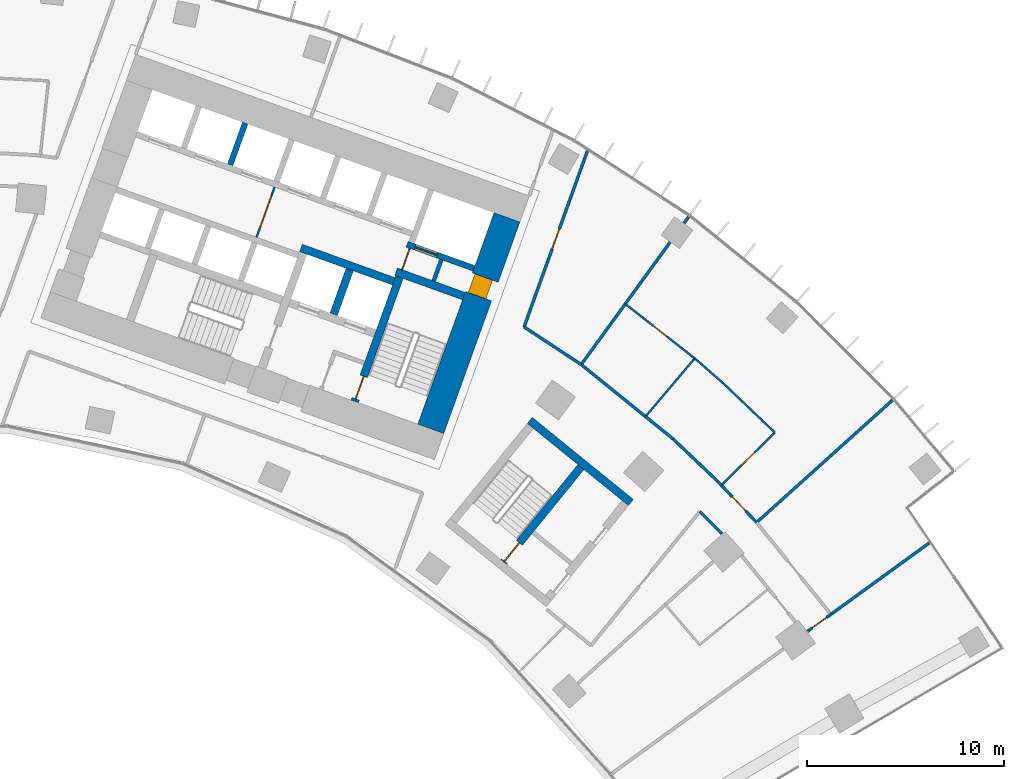
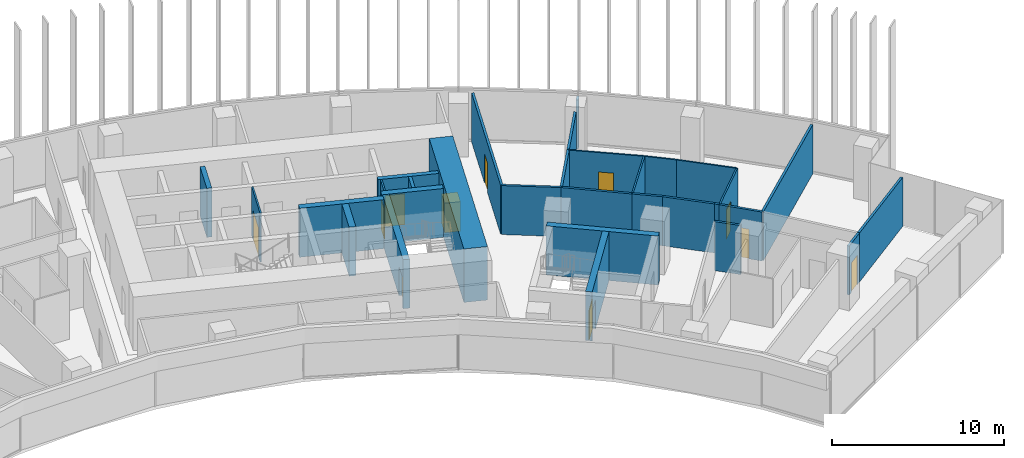
# One storey, part 20 of 23: 31 walls, 11 doors, 11 openings.
"""IFC4 building model written with IfcOpenShell, lengths in metres."""

from ifc_helpers import new_model, si_unit, direction, frame, frame_2d, origin, place, context, subcontext, project, spatial, rectangle, extrude, material, layer, layer_set, type_object, element, fill, save


model = new_model("IFC4")

# Units and contexts
model_context = context("Model", 3, precision=1e-05, world=origin(), true_north=direction((0.0, 1.0)))
body_context = subcontext(model_context, "Body", "Model", "MODEL_VIEW")
ifc_project = project(units=[si_unit("LENGTHUNIT", "METRE"), si_unit("AREAUNIT", "SQUARE_METRE"), si_unit("VOLUMEUNIT", "CUBIC_METRE"), si_unit("PLANEANGLEUNIT", "RADIAN"), si_unit("MASSUNIT", "GRAM", prefix="KILO")], contexts=[model_context])

# Site, building, storey
site_placement = place(None, origin())
site = spatial("IfcSite", under=ifc_project, at=site_placement, CompositionType="ELEMENT")
building_placement = place(site_placement, origin())
building = spatial("IfcBuilding", under=site, at=building_placement, Name="Stone Belt Terrace Tower", CompositionType="ELEMENT")
storey_placement = place(building_placement, frame((0.0, 0.0, 98.39990234375)))
storey = spatial("IfcBuildingStorey", under=building, at=storey_placement, Name="L23", CompositionType="ELEMENT", Elevation=98.39990234375)

# Wall, opening, door
ifc_material_1 = material(Name="Plasterboard partition")
ifc_layer_1 = layer(ifc_material_1, 0.10009765625)
ifc_layer_set_1 = layer_set([ifc_layer_1], Name="Core partition 100")
wall_type_1 = type_object("IfcWallType", Name="Core partition 100", PredefinedType="PARTITIONING", material=ifc_layer_set_1)
wall_1_placement = place(storey_placement, frame((24.555908203125, 51.10400390625, 0.0), z_axis=(0.0, 0.0, 1.0), x_axis=(0.338621735342, 0.94092258999, 0.0)))
wall_1 = element("IfcWall", 1, at=wall_1_placement, inside=storey, type_object=wall_type_1, Name="Core B wall", PredefinedType="PARTITIONING", context=body_context, shape_type="SweptSolid", body=[
    extrude(rectangle(XDim=1.14990234375, YDim=0.10009765625, at=frame_2d((0.574951171875, 0.0))), origin(), (0.0, 0.0, 1.0), 3.47998046875),
])
opening_1_placement = place(wall_1_placement, frame((0.050048828125, 0.0, 0.0)))
opening_1 = element("IfcOpeningElement", 2, at=opening_1_placement, cuts=wall_1, Name="Opening L23-C12", PredefinedType="OPENING", context=body_context, shape_type="SweptSolid", body=[
    extrude(rectangle(XDim=1.0, YDim=2.10009765625, at=frame_2d((0.5, 1.050048828125))), frame((0.0, 0.06005859375, 0.0), z_axis=(0.0, -1.0, 0.0), x_axis=(1.0, 0.0, 0.0)), (0.0, 0.0, 1.0), 0.1201171875),
])
ifc_material_2 = material(Name="Timber door leaf", Category="wood")
door_type_1 = type_object("IfcDoorType", Name="Core room door 1000", OperationType="SINGLE_SWING_LEFT", PredefinedType="DOOR", material=ifc_material_2)
door_1_placement = place(opening_1_placement, origin())
door_1 = element("IfcDoor", 3, at=door_1_placement, inside=storey, type_object=door_type_1, Name="Service lift lobby door core B", OperationType="SINGLE_SWING_LEFT", OverallHeight=2.10009765625, OverallWidth=1.0, PredefinedType="DOOR", context=body_context, shape_type="SweptSolid", body=[
    extrude(rectangle(XDim=1.0, YDim=2.10009765625, at=frame_2d((0.5, 1.050048828125))), frame((0.0, 0.02490234375, 0.0), z_axis=(0.0, -1.0, 0.0), x_axis=(1.0, 0.0, 0.0)), (0.0, 0.0, 1.0), 0.050048828125),
])
fill(opening_1, door_1)

wall_2_placement = place(storey_placement, frame((17.17724609375, 52.749755859375, 0.0), z_axis=(0.0, 0.0, 1.0), x_axis=(0.338546555931, 0.940949642365, 0.0)))
wall_2 = element("IfcWall", 4, at=wall_2_placement, inside=storey, type_object=wall_type_1, Name="Core B wall", PredefinedType="PARTITIONING", context=body_context, shape_type="SweptSolid", body=[
    extrude(rectangle(XDim=2.699951171875, YDim=0.10009765625, at=frame_2d((1.35009765625, 0.0))), origin(), (0.0, 0.0, 1.0), 3.47998046875),
])
opening_2_placement = place(wall_2_placement, frame((0.449951171875, 0.0, 0.0)))
opening_2 = element("IfcOpeningElement", 5, at=opening_2_placement, cuts=wall_2, Name="Opening L23-C13", PredefinedType="OPENING", context=body_context, shape_type="SweptSolid", body=[
    extrude(rectangle(XDim=1.800048828125, YDim=2.10009765625, at=frame_2d((0.89990234375, 1.050048828125))), frame((0.0, 0.06005859375, 0.0), z_axis=(0.0, -1.0, 0.0), x_axis=(1.0, 0.0, 0.0)), (0.0, 0.0, 1.0), 0.1201171875),
])
ifc_material_3 = material(Name="Glazed aluminium door leaf", Category="aluminium")
door_type_2 = type_object("IfcDoorType", Name="Lift lobby entrance door 1800", OperationType="DOUBLE_DOOR_SINGLE_SWING", PredefinedType="DOOR", material=ifc_material_3)
door_2_placement = place(opening_2_placement, origin())
door_2 = element("IfcDoor", 6, at=door_2_placement, inside=storey, type_object=door_type_2, Name="Lift lobby double door core B", OperationType="DOUBLE_DOOR_SINGLE_SWING", OverallHeight=2.10009765625, OverallWidth=1.800048828125, PredefinedType="DOOR", context=body_context, shape_type="SweptSolid", body=[
    extrude(rectangle(XDim=1.800048828125, YDim=2.10009765625, at=frame_2d((0.89990234375, 1.050048828125))), frame((0.0, 0.02490234375, 0.0), z_axis=(0.0, -1.0, 0.0), x_axis=(1.0, 0.0, 0.0)), (0.0, 0.0, 1.0), 0.050048828125),
])
fill(opening_2, door_2)

ifc_material_4 = material(Name="Concrete B80", Category="concrete")
ifc_layer_2 = layer(ifc_material_4, 1.39990234375)
ifc_layer_set_2 = layer_set([ifc_layer_2], Name="Core wall 1400 B80")
wall_type_2 = type_object("IfcWallType", Name="Core wall 1400 B80", PredefinedType="SHEAR", material=ifc_layer_set_2)
wall_3_placement = place(storey_placement, frame((26.00927734375, 43.03515625, 0.0), z_axis=(0.0, 0.0, 1.0), x_axis=(0.338625431531, 0.940921259788, 0.0)))
wall_3 = element("IfcWall", 7, at=wall_3_placement, inside=storey, type_object=wall_type_2, Name="Core B wall end_b L23", PredefinedType="SHEAR", context=body_context, shape_type="SweptSolid", body=[
    extrude(rectangle(XDim=11.400146484375, YDim=1.39990234375, at=frame_2d((5.7001953125, 0.0))), origin(), (0.0, 0.0, 1.0), 3.800048828125),
])
opening_3_placement = place(wall_3_placement, frame((7.14990234375, 0.0, 0.0)))
opening_3 = element("IfcOpeningElement", 8, at=opening_3_placement, cuts=wall_3, Name="Opening L23-C11", PredefinedType="OPENING", context=body_context, shape_type="SweptSolid", body=[
    extrude(rectangle(XDim=1.0, YDim=2.10009765625, at=frame_2d((0.5, 1.050048828125))), frame((0.0, 0.7099609375, 0.0), z_axis=(0.0, -1.0, 0.0), x_axis=(1.0, 0.0, 0.0)), (0.0, 0.0, 1.0), 1.419921875),
])
door_3_placement = place(opening_3_placement, origin())
door_3 = element("IfcDoor", 9, at=door_3_placement, inside=storey, type_object=door_type_1, Name="Door to Telecommunications riser room core B", OperationType="SINGLE_SWING_RIGHT", OverallHeight=2.10009765625, OverallWidth=1.0, PredefinedType="DOOR", context=body_context, shape_type="SweptSolid", body=[
    extrude(rectangle(XDim=1.0, YDim=2.10009765625, at=frame_2d((0.5, 1.050048828125))), frame((0.0, 0.55517578125, 0.0), z_axis=(0.0, -1.0, 0.0), x_axis=(1.0, 0.0, 0.0)), (0.0, 0.0, 1.0), 0.949951171875),
])
fill(opening_3, door_3)

# Walls
ifc_layer_3 = layer(ifc_material_4, 0.39990234375)
ifc_layer_set_3 = layer_set([ifc_layer_3], Name="Fire-fighting lift shaft wall 400")
wall_type_3 = type_object("IfcWallType", Name="Fire-fighting lift shaft wall 400", PredefinedType="SHEAR", material=ifc_layer_set_3)
wall_4_placement = place(storey_placement, frame((24.130615234375, 50.512939453125, 0.0), z_axis=(0.0, 0.0, 1.0), x_axis=(-0.94091168377, 0.338652038744, 0.0)))
element("IfcWall", 10, at=wall_4_placement, inside=storey, type_object=wall_type_3, Name="Core B wall", PredefinedType="SHEAR", context=body_context, shape_type="SweptSolid", body=[
    extrude(rectangle(XDim=5.000244140625, YDim=0.39990234375, at=frame_2d((2.5, 0.0))), origin(), (0.0, 0.0, 1.0), 3.47998046875),
])
wall_5_placement = place(storey_placement, frame((21.0859375, 48.845458984375, 0.0), z_axis=(0.0, 0.0, 1.0), x_axis=(0.338629416206, 0.940919825745, 0.0)))
element("IfcWall", 11, at=wall_5_placement, inside=storey, type_object=wall_type_3, Name="Core B wall", PredefinedType="SHEAR", context=body_context, shape_type="SweptSolid", body=[
    extrude(rectangle(XDim=2.400146484375, YDim=0.39990234375, at=frame_2d((1.2001953125, 0.0))), origin(), (0.0, 0.0, 1.0), 3.47998046875),
])

# Wall, opening, door
ifc_layer_4 = layer(ifc_material_4, 0.300048828125)
ifc_layer_set_4 = layer_set([ifc_layer_4], Name="Lift shaft wall 300")
wall_type_4 = type_object("IfcWallType", Name="Lift shaft wall 300", PredefinedType="SHEAR", material=ifc_layer_set_4)
wall_6_placement = place(storey_placement, frame((28.195068359375, 51.17578125, 0.0), z_axis=(0.0, 0.0, 1.0), x_axis=(-0.940901243567, 0.338681044427, 0.0)))
wall_6 = element("IfcWall", 12, at=wall_6_placement, inside=storey, type_object=wall_type_4, Name="Core B wall", PredefinedType="SHEAR", context=body_context, shape_type="SweptSolid", body=[
    extrude(rectangle(XDim=3.599853515625, YDim=0.300048828125, at=frame_2d((1.7998046875, 0.0))), origin(), (0.0, 0.0, 1.0), 3.47998046875),
])
opening_4_placement = place(wall_6_placement, frame((1.969970703125, 0.0, 0.0)))
opening_4 = element("IfcOpeningElement", 13, at=opening_4_placement, cuts=wall_6, Name="Opening L23-LD18", PredefinedType="OPENING", context=body_context, shape_type="SweptSolid", body=[
    extrude(rectangle(XDim=1.199951171875, YDim=2.199951171875, at=frame_2d((0.60009765625, 1.10009765625))), frame((0.0, 0.159912109375, 0.0), z_axis=(0.0, -1.0, 0.0), x_axis=(1.0, 0.0, 0.0)), (0.0, 0.0, 1.0), 0.320068359375),
])
ifc_material_5 = material(Name="Stainless steel door leaf", Category="steel")
door_type_3 = type_object("IfcDoorType", Name="Landing door 1200", OperationType="SLIDING_TO_LEFT", PredefinedType="DOOR", material=ifc_material_5)
door_4_placement = place(opening_4_placement, origin())
door_4 = element("IfcDoor", 14, at=door_4_placement, inside=storey, type_object=door_type_3, Name="Landing door SV1 core B", OperationType="SLIDING_TO_LEFT", OverallHeight=2.199951171875, OverallWidth=1.199951171875, PredefinedType="DOOR", context=body_context, shape_type="SweptSolid", body=[
    extrude(rectangle(XDim=1.199951171875, YDim=2.199951171875, at=frame_2d((0.60009765625, 1.10009765625))), frame((0.0, 0.02490234375, 0.0), z_axis=(0.0, -1.0, 0.0), x_axis=(1.0, 0.0, 0.0)), (0.0, 0.0, 1.0), 0.050048828125),
])
fill(opening_4, door_4)

# Wall
wall_7_placement = place(storey_placement, frame((15.8408203125, 56.419189453125, 0.0), z_axis=(0.0, 0.0, 1.0), x_axis=(0.338569601369, 0.940941350472, 0.0)))
element("IfcWall", 15, at=wall_7_placement, inside=storey, type_object=wall_type_4, Name="Core B wall", PredefinedType="SHEAR", context=body_context, shape_type="SweptSolid", body=[
    extrude(rectangle(XDim=2.249755859375, YDim=0.300048828125, at=frame_2d((1.125, 0.0))), origin(), (0.0, 0.0, 1.0), 3.47998046875),
])

# Wall, opening, door
ifc_material_6 = material(Name="Gypsum board partition")
ifc_layer_5 = layer(ifc_material_6, 0.10009765625)
ifc_layer_set_5 = layer_set([ifc_layer_5], Name="PARTITION 100")
wall_type_5 = type_object("IfcWallType", Name="PARTITION 100", PredefinedType="PARTITIONING", material=ifc_layer_set_5)
wall_8_placement = place(storey_placement, frame((39.387939453125, 46.611083984375, 0.0), z_axis=(0.0, 0.0, 1.0), x_axis=(-0.786962053446, 0.617001399056, 0.0)))
wall_8 = element("IfcWall", 16, at=wall_8_placement, inside=storey, type_object=wall_type_5, Name="L23/wall/i073", PredefinedType="PARTITIONING", context=body_context, shape_type="SweptSolid", body=[
    extrude(rectangle(XDim=4.4716796875, YDim=0.10009765625, at=frame_2d((2.23583984375, 0.0))), origin(), (0.0, 0.0, 1.0), 3.47998046875),
])
opening_5_placement = place(wall_8_placement, frame((1.785888671875, 0.0, 0.0)))
opening_5 = element("IfcOpeningElement", 17, at=opening_5_placement, cuts=wall_8, Name="Opening D-B2-23", PredefinedType="OPENING", context=body_context, shape_type="SweptSolid", body=[
    extrude(rectangle(XDim=0.89990234375, YDim=2.10009765625, at=frame_2d((0.449951171875, 1.050048828125))), frame((0.0, 0.06005859375, 0.0), z_axis=(0.0, -1.0, 0.0), x_axis=(1.0, 0.0, 0.0)), (0.0, 0.0, 1.0), 0.1201171875),
])
door_type_4 = type_object("IfcDoorType", Name="OFFICE DOOR 900 X 2100", OperationType="NOTDEFINED", PredefinedType="DOOR", material=ifc_material_2)
door_5_placement = place(opening_5_placement, origin())
door_5 = element("IfcDoor", 18, at=door_5_placement, inside=storey, type_object=door_type_4, Name="L23/door/i23", OperationType="SINGLE_SWING_RIGHT", OverallHeight=2.10009765625, OverallWidth=0.89990234375, PredefinedType="DOOR", context=body_context, shape_type="SweptSolid", body=[
    extrude(rectangle(XDim=0.89990234375, YDim=2.10009765625, at=frame_2d((0.449951171875, 1.050048828125))), frame((0.0, 0.02490234375, 0.0), z_axis=(0.0, -1.0, 0.0), x_axis=(1.0, 0.0, 0.0)), (0.0, 0.0, 1.0), 0.050048828125),
])
fill(opening_5, door_5)

wall_9_placement = place(storey_placement, frame((40.739013671875, 40.177978515625, 0.0), z_axis=(0.0, 0.0, 1.0), x_axis=(0.7119326246, 0.702247775383, 0.0)))
wall_9 = element("IfcWall", 19, at=wall_9_placement, inside=storey, type_object=wall_type_5, Name="L23/wall/i074", PredefinedType="PARTITIONING", context=body_context, shape_type="SweptSolid", body=[
    extrude(rectangle(XDim=3.806396484375, YDim=0.10009765625, at=frame_2d((1.9033203125, 0.0))), origin(), (0.0, 0.0, 1.0), 3.47998046875),
])
opening_6_placement = place(wall_9_placement, frame((1.453125, 0.0, 0.0)))
opening_6 = element("IfcOpeningElement", 20, at=opening_6_placement, cuts=wall_9, Name="Opening D-B2-24", PredefinedType="OPENING", context=body_context, shape_type="SweptSolid", body=[
    extrude(rectangle(XDim=0.89990234375, YDim=2.10009765625, at=frame_2d((0.449951171875, 1.050048828125))), frame((0.0, 0.06005859375, 0.0), z_axis=(0.0, -1.0, 0.0), x_axis=(1.0, 0.0, 0.0)), (0.0, 0.0, 1.0), 0.1201171875),
])
door_6_placement = place(opening_6_placement, origin())
door_6 = element("IfcDoor", 21, at=door_6_placement, inside=storey, type_object=door_type_4, Name="L23/door/i24", OperationType="SINGLE_SWING_RIGHT", OverallHeight=2.10009765625, OverallWidth=0.89990234375, PredefinedType="DOOR", context=body_context, shape_type="SweptSolid", body=[
    extrude(rectangle(XDim=0.89990234375, YDim=2.10009765625, at=frame_2d((0.449951171875, 1.050048828125))), frame((0.0, 0.02490234375, 0.0), z_axis=(0.0, -1.0, 0.0), x_axis=(1.0, 0.0, 0.0)), (0.0, 0.0, 1.0), 0.050048828125),
])
fill(opening_6, door_6)

# Walls
wall_10_placement = place(storey_placement, frame((43.448974609375, 42.85107421875, 0.0), z_axis=(0.0, 0.0, 1.0), x_axis=(-0.723084314641, 0.690759780184, 0.0)))
element("IfcWall", 22, at=wall_10_placement, inside=storey, type_object=wall_type_5, Name="L23/wall/i075", PredefinedType="PARTITIONING", context=body_context, shape_type="SweptSolid", body=[
    extrude(rectangle(XDim=3.61767578125, YDim=0.10009765625, at=frame_2d((1.808837890625, 0.0))), origin(), (0.0, 0.0, 1.0), 3.47998046875),
])
wall_11_placement = place(storey_placement, frame((40.8330078125, 45.35009765625, 0.0), z_axis=(0.0, 0.0, 1.0), x_axis=(-0.753467080119, 0.657485634198, 0.0)))
element("IfcWall", 23, at=wall_11_placement, inside=storey, type_object=wall_type_5, Name="L23/wall/i076", PredefinedType="PARTITIONING", context=body_context, shape_type="SweptSolid", body=[
    extrude(rectangle(XDim=1.91796875, YDim=0.10009765625, at=frame_2d((0.958984375, 0.0))), origin(), (0.0, 0.0, 1.0), 3.47998046875),
])
wall_12_placement = place(storey_placement, frame((39.387939453125, 46.611083984375, 0.0), z_axis=(0.0, 0.0, 1.0), x_axis=(-0.645622277599, -0.763656909003, 0.0)))
element("IfcWall", 24, at=wall_12_placement, inside=storey, type_object=wall_type_5, Name="L23/wall/i078", PredefinedType="PARTITIONING", context=body_context, shape_type="SweptSolid", body=[
    extrude(rectangle(XDim=3.86572265625, YDim=0.10009765625, at=frame_2d((1.932861328125, 0.0))), origin(), (0.0, 0.0, 1.0), 3.47998046875),
])

# Wall, opening, door
ifc_layer_6 = layer(ifc_material_6, 0.14990234375)
ifc_layer_set_6 = layer_set([ifc_layer_6], Name="PARTITION 150 EI 60")
wall_type_6 = type_object("IfcWallType", Name="PARTITION 150 EI 60", PredefinedType="PARTITIONING", material=ifc_layer_set_6)
wall_13_placement = place(storey_placement, frame((33.951904296875, 57.132080078125, 0.0), z_axis=(0.0, 0.0, 1.0), x_axis=(-0.338553766065, -0.940947048182, 0.0)))
wall_13 = element("IfcWall", 25, at=wall_13_placement, inside=storey, type_object=wall_type_6, Name="L23/wall/i022", PredefinedType="PARTITIONING", context=body_context, shape_type="SweptSolid", body=[
    extrude(rectangle(XDim=9.495849609375, YDim=0.14990234375, at=frame_2d((4.748046875, 0.0))), origin(), (0.0, 0.0, 1.0), 3.47998046875),
])
opening_7_placement = place(wall_13_placement, frame((4.197998046875, 0.0, 0.0)))
opening_7 = element("IfcOpeningElement", 26, at=opening_7_placement, cuts=wall_13, Name="Opening D-B2-21", PredefinedType="OPENING", context=body_context, shape_type="SweptSolid", body=[
    extrude(rectangle(XDim=1.10009765625, YDim=2.10009765625, at=frame_2d((0.550048828125, 1.050048828125))), frame((0.0, 0.0849609375, 0.0), z_axis=(0.0, -1.0, 0.0), x_axis=(1.0, 0.0, 0.0)), (0.0, 0.0, 1.0), 0.169921875),
])
ifc_material_7 = material(Name="Steel fire door set", Category="steel")
door_type_5 = type_object("IfcDoorType", Name="SERVICE ROOM DOOR 1100 X 2100", OperationType="NOTDEFINED", PredefinedType="DOOR", material=ifc_material_7)
door_7_placement = place(opening_7_placement, origin())
door_7 = element("IfcDoor", 27, at=door_7_placement, inside=storey, type_object=door_type_5, Name="L23/door/i21", OperationType="SINGLE_SWING_LEFT", OverallHeight=2.10009765625, OverallWidth=1.10009765625, PredefinedType="DOOR", context=body_context, shape_type="SweptSolid", body=[
    extrude(rectangle(XDim=1.10009765625, YDim=2.10009765625, at=frame_2d((0.550048828125, 1.050048828125))), frame((0.0, 0.02490234375, 0.0), z_axis=(0.0, -1.0, 0.0), x_axis=(1.0, 0.0, 0.0)), (0.0, 0.0, 1.0), 0.050048828125),
])
fill(opening_7, door_7)

wall_14_placement = place(storey_placement, frame((46.301025390625, 33.638916015625, 0.0), z_axis=(0.0, 0.0, 1.0), x_axis=(-0.809407972322, -0.587246740597, 0.0)))
wall_14 = element("IfcWall", 28, at=wall_14_placement, inside=storey, type_object=wall_type_6, Name="L23/wall/i049", PredefinedType="PARTITIONING", context=body_context, shape_type="SweptSolid", body=[
    extrude(rectangle(XDim=1.475830078125, YDim=0.14990234375, at=frame_2d((0.73779296875, 0.0))), origin(), (0.0, 0.0, 1.0), 3.47998046875),
])
opening_8_placement = place(wall_14_placement, frame((0.287841796875, 0.0, 0.0)))
opening_8 = element("IfcOpeningElement", 29, at=opening_8_placement, cuts=wall_14, Name="Opening D-B2-16", PredefinedType="OPENING", context=body_context, shape_type="SweptSolid", body=[
    extrude(rectangle(XDim=0.89990234375, YDim=2.10009765625, at=frame_2d((0.449951171875, 1.050048828125))), frame((0.0, 0.0849609375, 0.0), z_axis=(0.0, -1.0, 0.0), x_axis=(1.0, 0.0, 0.0)), (0.0, 0.0, 1.0), 0.169921875),
])
door_8_placement = place(opening_8_placement, origin())
door_8 = element("IfcDoor", 30, at=door_8_placement, inside=storey, type_object=door_type_4, Name="L23/door/i16", OperationType="SINGLE_SWING_RIGHT", OverallHeight=2.10009765625, OverallWidth=0.89990234375, PredefinedType="DOOR", context=body_context, shape_type="SweptSolid", body=[
    extrude(rectangle(XDim=0.89990234375, YDim=2.10009765625, at=frame_2d((0.449951171875, 1.050048828125))), frame((0.0, 0.02490234375, 0.0), z_axis=(0.0, -1.0, 0.0), x_axis=(1.0, 0.0, 0.0)), (0.0, 0.0, 1.0), 0.050048828125),
])
fill(opening_8, door_8)

# Walls
wall_15_placement = place(storey_placement, frame((46.291015625, 33.632080078125, 0.0), z_axis=(0.0, 0.0, 1.0), x_axis=(0.809007988274, 0.587797647927, 0.0)))
element("IfcWall", 31, at=wall_15_placement, inside=storey, type_object=wall_type_6, Name="L23/wall/i051", PredefinedType="PARTITIONING", context=body_context, shape_type="SweptSolid", body=[
    extrude(rectangle(XDim=6.171630859375, YDim=0.14990234375, at=frame_2d((3.0859375, 0.0))), origin(), (0.0, 0.0, 1.0), 3.47998046875),
])
wall_16_placement = place(storey_placement, frame((30.739013671875, 48.202880859375, 0.0), z_axis=(0.0, 0.0, 1.0), x_axis=(0.835274160171, -0.549833681535, 0.0)))
element("IfcWall", 32, at=wall_16_placement, inside=storey, type_object=wall_type_6, Name="L23/wall/i052", PredefinedType="PARTITIONING", context=body_context, shape_type="SweptSolid", body=[
    extrude(rectangle(XDim=3.46826171875, YDim=0.14990234375, at=frame_2d((1.734130859375, 0.0))), origin(), (0.0, 0.0, 1.0), 3.47998046875),
])
wall_17_placement = place(storey_placement, frame((33.635986328125, 46.2958984375, 0.0), z_axis=(0.0, 0.0, 1.0), x_axis=(0.777125625244, -0.629345503352, 0.0)))
element("IfcWall", 33, at=wall_17_placement, inside=storey, type_object=wall_type_6, Name="L23/wall/i053", PredefinedType="PARTITIONING", context=body_context, shape_type="SweptSolid", body=[
    extrude(rectangle(XDim=4.1962890625, YDim=0.14990234375, at=frame_2d((2.09814453125, 0.0))), origin(), (0.0, 0.0, 1.0), 3.47998046875),
])
wall_18_placement = place(storey_placement, frame((36.886962890625, 43.6630859375, 0.0), z_axis=(0.0, 0.0, 1.0), x_axis=(0.777200778187, -0.629252691997, 0.0)))
element("IfcWall", 34, at=wall_18_placement, inside=storey, type_object=wall_type_6, Name="L23/wall/i054", PredefinedType="PARTITIONING", context=body_context, shape_type="SweptSolid", body=[
    extrude(rectangle(XDim=1.80517578125, YDim=0.14990234375, at=frame_2d((0.902587890625, 0.0))), origin(), (0.0, 0.0, 1.0), 3.47998046875),
])
wall_19_placement = place(storey_placement, frame((38.291015625, 42.52587890625, 0.0), z_axis=(0.0, 0.0, 1.0), x_axis=(0.724835843729, -0.688921620829, 0.0)))
element("IfcWall", 35, at=wall_19_placement, inside=storey, type_object=wall_type_6, Name="L23/wall/i055", PredefinedType="PARTITIONING", context=body_context, shape_type="SweptSolid", body=[
    extrude(rectangle(XDim=3.093017578125, YDim=0.14990234375, at=frame_2d((1.54638671875, 0.0))), origin(), (0.0, 0.0, 1.0), 3.47998046875),
])
wall_20_placement = place(storey_placement, frame((40.765625, 37.721435546875, 0.0), z_axis=(0.0, 0.0, 1.0), x_axis=(-0.707106781187, 0.707106781187, 0.0)))
element("IfcWall", 36, at=wall_20_placement, inside=storey, type_object=wall_type_6, Name="L23/wall/i056", PredefinedType="PARTITIONING", context=body_context, shape_type="SweptSolid", body=[
    extrude(rectangle(XDim=1.587646484375, YDim=0.14990234375, at=frame_2d((0.7939453125, 0.0))), origin(), (0.0, 0.0, 1.0), 3.47998046875),
])

# Wall, opening, door
wall_21_placement = place(storey_placement, frame((40.735107421875, 40.181884765625, 0.0), z_axis=(0.0, 0.0, 1.0), x_axis=(0.687627627424, -0.726063527526, 0.0)))
wall_21 = element("IfcWall", 37, at=wall_21_placement, inside=storey, type_object=wall_type_6, Name="L23/wall/i059", PredefinedType="PARTITIONING", context=body_context, shape_type="SweptSolid", body=[
    extrude(rectangle(XDim=2.604248046875, YDim=0.14990234375, at=frame_2d((1.30224609375, 0.0))), origin(), (0.0, 0.0, 1.0), 3.47998046875),
])
opening_9_placement = place(wall_21_placement, frame((0.80224609375, 0.0, 0.0)))
opening_9 = element("IfcOpeningElement", 38, at=opening_9_placement, cuts=wall_21, Name="Opening D-B2-22", PredefinedType="OPENING", context=body_context, shape_type="SweptSolid", body=[
    extrude(rectangle(XDim=1.0, YDim=2.10009765625, at=frame_2d((0.5, 1.050048828125))), frame((0.0, 0.0849609375, 0.0), z_axis=(0.0, -1.0, 0.0), x_axis=(1.0, 0.0, 0.0)), (0.0, 0.0, 1.0), 0.169921875),
])
ifc_material_8 = material(Name="Timber fire door leaf", Category="wood")
door_type_6 = type_object("IfcDoorType", Name="TENANCY ENTRANCE DOOR 1000 X 2100", OperationType="NOTDEFINED", PredefinedType="DOOR", material=ifc_material_8)
door_9_placement = place(opening_9_placement, origin())
door_9 = element("IfcDoor", 39, at=door_9_placement, inside=storey, type_object=door_type_6, Name="L23/door/i22", OperationType="SINGLE_SWING_RIGHT", OverallHeight=2.10009765625, OverallWidth=1.0, PredefinedType="DOOR", context=body_context, shape_type="SweptSolid", body=[
    extrude(rectangle(XDim=1.0, YDim=2.10009765625, at=frame_2d((0.5, 1.050048828125))), frame((0.0, 0.02490234375, 0.0), z_axis=(0.0, -1.0, 0.0), x_axis=(1.0, 0.0, 0.0)), (0.0, 0.0, 1.0), 0.050048828125),
])
fill(opening_9, door_9)

# Walls
wall_22_placement = place(storey_placement, frame((40.532958984375, 40.39501953125, 0.0), z_axis=(0.0, 0.0, 1.0), x_axis=(0.68885471009, -0.724899433292, 0.0)))
element("IfcWall", 40, at=wall_22_placement, inside=storey, type_object=wall_type_6, Name="L23/wall/i060", PredefinedType="PARTITIONING", context=body_context, shape_type="SweptSolid", body=[
    extrude(rectangle(XDim=0.3046875, YDim=0.14990234375, at=frame_2d((0.15234375, 0.0))), origin(), (0.0, 0.0, 1.0), 3.47998046875),
])
wall_23_placement = place(storey_placement, frame((39.087890625, 53.7998046875, 0.0), z_axis=(0.0, 0.0, 1.0), x_axis=(-0.588207421816, -0.808710101904, 0.0)))
element("IfcWall", 41, at=wall_23_placement, inside=storey, type_object=wall_type_6, Name="L23/wall/i070", PredefinedType="PARTITIONING", context=body_context, shape_type="SweptSolid", body=[
    extrude(rectangle(XDim=0.40625, YDim=0.14990234375, at=frame_2d((0.203125, 0.0))), origin(), (0.0, 0.0, 1.0), 3.47998046875),
])
wall_24_placement = place(storey_placement, frame((38.1376953125, 52.4921875, 0.0), z_axis=(0.0, 0.0, 1.0), x_axis=(-0.58789754281, -0.808935398631, 0.0)))
element("IfcWall", 42, at=wall_24_placement, inside=storey, type_object=wall_type_6, Name="L23/wall/i071", PredefinedType="PARTITIONING", context=body_context, shape_type="SweptSolid", body=[
    extrude(rectangle(XDim=3.86572265625, YDim=0.14990234375, at=frame_2d((1.932861328125, 0.0))), origin(), (0.0, 0.0, 1.0), 3.47998046875),
])
wall_25_placement = place(storey_placement, frame((35.873046875, 49.375, 0.0), z_axis=(0.0, 0.0, 1.0), x_axis=(-0.587778771374, -0.809021702998, 0.0)))
element("IfcWall", 43, at=wall_25_placement, inside=storey, type_object=wall_type_6, Name="L23/wall/i072", PredefinedType="PARTITIONING", context=body_context, shape_type="SweptSolid", body=[
    extrude(rectangle(XDim=3.805908203125, YDim=0.14990234375, at=frame_2d((1.90283203125, 0.0))), origin(), (0.0, 0.0, 1.0), 3.47998046875),
])
wall_26_placement = place(storey_placement, frame((49.41943359375, 44.496826171875, 0.0), z_axis=(0.0, 0.0, 1.0), x_axis=(-0.743207759706, -0.669060704206, 0.0)))
element("IfcWall", 44, at=wall_26_placement, inside=storey, type_object=wall_type_6, Name="L23/wall/i077", PredefinedType="PARTITIONING", context=body_context, shape_type="SweptSolid", body=[
    extrude(rectangle(XDim=9.275390625, YDim=0.14990234375, at=frame_2d((4.6376953125, 0.0))), origin(), (0.0, 0.0, 1.0), 3.47998046875),
])
ifc_material_9 = material(Name="Concrete masonry block", Category="masonry")
ifc_layer_7 = layer(ifc_material_9, 0.199951171875)
ifc_layer_set_7 = layer_set([ifc_layer_7], Name="Rated lobby wall 200")
wall_type_7 = type_object("IfcWallType", Name="Rated lobby wall 200", PredefinedType="PARTITIONING", material=ifc_layer_set_7)
wall_27_placement = place(storey_placement, frame((26.1552734375, 50.5283203125, 0.0), z_axis=(0.0, 0.0, 1.0), x_axis=(0.338621735342, 0.94092258999, 0.0)))
element("IfcWall", 45, at=wall_27_placement, inside=storey, type_object=wall_type_7, Name="Core B wall", PredefinedType="PARTITIONING", context=body_context, shape_type="SweptSolid", body=[
    extrude(rectangle(XDim=1.14990234375, YDim=0.199951171875, at=frame_2d((0.574951171875, 0.0))), origin(), (0.0, 0.0, 1.0), 3.47998046875),
])
ifc_layer_8 = layer(ifc_material_4, 0.39990234375)
ifc_layer_set_8 = layer_set([ifc_layer_8], Name="Stair enclosure wall 400")
wall_type_8 = type_object("IfcWallType", Name="Stair enclosure wall 400", PredefinedType="SHEAR", material=ifc_layer_set_8)
wall_28_placement = place(storey_placement, frame((27.687255859375, 49.764404296875, 0.0), z_axis=(0.0, 0.0, 1.0), x_axis=(-0.940918954884, 0.338631835981, 0.0)))
element("IfcWall", 46, at=wall_28_placement, inside=storey, type_object=wall_type_8, Name="Core B wall", PredefinedType="SHEAR", context=body_context, shape_type="SweptSolid", body=[
    extrude(rectangle(XDim=3.650146484375, YDim=0.39990234375, at=frame_2d((1.8251953125, 0.0))), origin(), (0.0, 0.0, 1.0), 3.47998046875),
])

# Wall, opening, door
wall_29_placement = place(storey_placement, frame((22.151611328125, 44.42333984375, 0.0), z_axis=(0.0, 0.0, 1.0), x_axis=(0.338625272931, 0.940921316866, 0.0)))
wall_29 = element("IfcWall", 47, at=wall_29_placement, inside=storey, type_object=wall_type_8, Name="Core B wall", PredefinedType="SHEAR", context=body_context, shape_type="SweptSolid", body=[
    extrude(rectangle(XDim=6.699951171875, YDim=0.39990234375, at=frame_2d((3.35009765625, 0.0))), origin(), (0.0, 0.0, 1.0), 3.47998046875),
])
opening_10_placement = place(wall_29_placement, frame((0.14990234375, 0.0, 0.0)))
opening_10 = element("IfcOpeningElement", 48, at=opening_10_placement, cuts=wall_29, Name="Opening L23-C15", PredefinedType="OPENING", context=body_context, shape_type="SweptSolid", body=[
    extrude(rectangle(XDim=1.199951171875, YDim=2.10009765625, at=frame_2d((0.60009765625, 1.050048828125))), frame((0.0, 0.2099609375, 0.0), z_axis=(0.0, -1.0, 0.0), x_axis=(1.0, 0.0, 0.0)), (0.0, 0.0, 1.0), 0.419921875),
])
ifc_material_10 = material(Name="Steel door leaf", Category="steel")
door_type_7 = type_object("IfcDoorType", Name="Stair door 1200", OperationType="SINGLE_SWING_LEFT", PredefinedType="DOOR", material=ifc_material_10)
door_10_placement = place(opening_10_placement, origin())
door_10 = element("IfcDoor", 49, at=door_10_placement, inside=storey, type_object=door_type_7, Name="Stair 1 door core B", OperationType="SINGLE_SWING_LEFT", OverallHeight=2.10009765625, OverallWidth=1.199951171875, PredefinedType="DOOR", context=body_context, shape_type="SweptSolid", body=[
    extrude(rectangle(XDim=1.199951171875, YDim=2.10009765625, at=frame_2d((0.60009765625, 1.050048828125))), frame((0.0, 0.02490234375, 0.0), z_axis=(0.0, -1.0, 0.0), x_axis=(1.0, 0.0, 0.0)), (0.0, 0.0, 1.0), 0.050048828125),
])
fill(opening_10, door_10)

# Wall
wall_30_placement = place(storey_placement, frame((31.02783203125, 43.46337890625, 0.0), z_axis=(0.0, 0.0, 1.0), x_axis=(0.776413760801, -0.630223509589, 0.0)))
element("IfcWall", 50, at=wall_30_placement, inside=storey, type_object=wall_type_8, Name="Exit stair ST3B wall", PredefinedType="SHEAR", context=body_context, shape_type="SweptSolid", body=[
    extrude(rectangle(XDim=6.599853515625, YDim=0.39990234375, at=frame_2d((3.2998046875, 0.0))), origin(), (0.0, 0.0, 1.0), 3.47998046875),
])

# Wall, opening, door
wall_31_placement = place(storey_placement, frame((29.7119140625, 36.288330078125, 0.0), z_axis=(0.0, 0.0, 1.0), x_axis=(0.630192283849, 0.776439106033, 0.0)))
wall_31 = element("IfcWall", 51, at=wall_31_placement, inside=storey, type_object=wall_type_8, Name="Exit stair ST3B wall", PredefinedType="SHEAR", context=body_context, shape_type="SweptSolid", body=[
    extrude(rectangle(XDim=6.199951171875, YDim=0.39990234375, at=frame_2d((3.10009765625, 0.0))), origin(), (0.0, 0.0, 1.0), 3.47998046875),
])
opening_11_placement = place(wall_31_placement, frame((0.050048828125, 0.0, 0.0)))
opening_11 = element("IfcOpeningElement", 52, at=opening_11_placement, cuts=wall_31, Name="Opening L23-C24", PredefinedType="OPENING", context=body_context, shape_type="SweptSolid", body=[
    extrude(rectangle(XDim=1.199951171875, YDim=2.10009765625, at=frame_2d((0.60009765625, 1.050048828125))), frame((0.0, 0.2099609375, 0.0), z_axis=(0.0, -1.0, 0.0), x_axis=(1.0, 0.0, 0.0)), (0.0, 0.0, 1.0), 0.419921875),
])
door_11_placement = place(opening_11_placement, origin())
door_11 = element("IfcDoor", 53, at=door_11_placement, inside=storey, type_object=door_type_7, Name="Stair door ST3B", OperationType="SINGLE_SWING_LEFT", OverallHeight=2.10009765625, OverallWidth=1.199951171875, PredefinedType="DOOR", context=body_context, shape_type="SweptSolid", body=[
    extrude(rectangle(XDim=1.199951171875, YDim=2.10009765625, at=frame_2d((0.60009765625, 1.050048828125))), frame((0.0, 0.02490234375, 0.0), z_axis=(0.0, -1.0, 0.0), x_axis=(1.0, 0.0, 0.0)), (0.0, 0.0, 1.0), 0.050048828125),
])
fill(opening_11, door_11)

save(model, "model.ifc")
